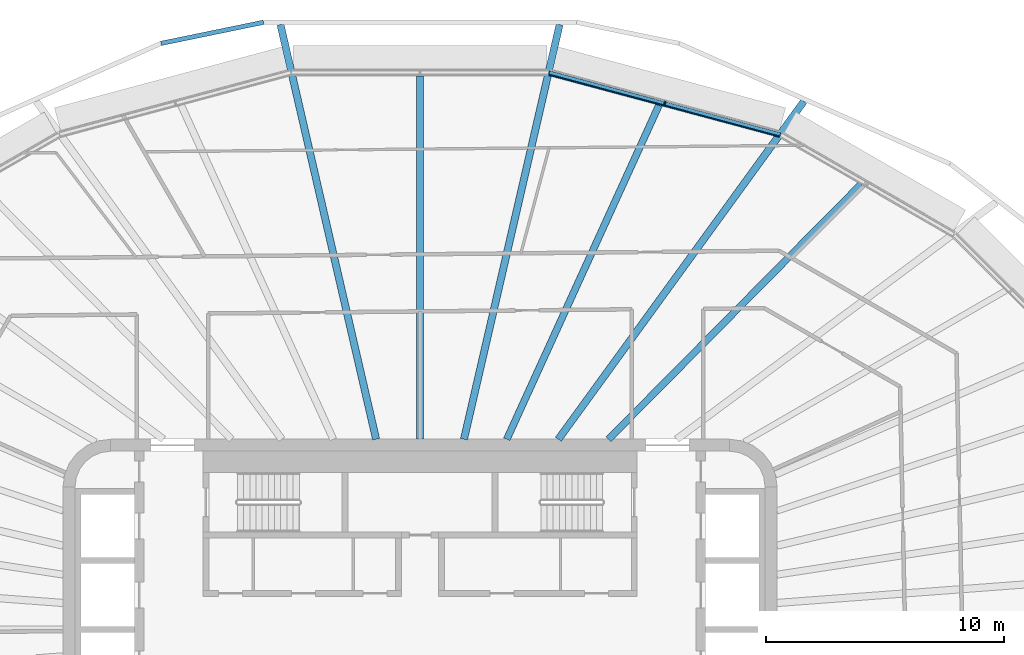
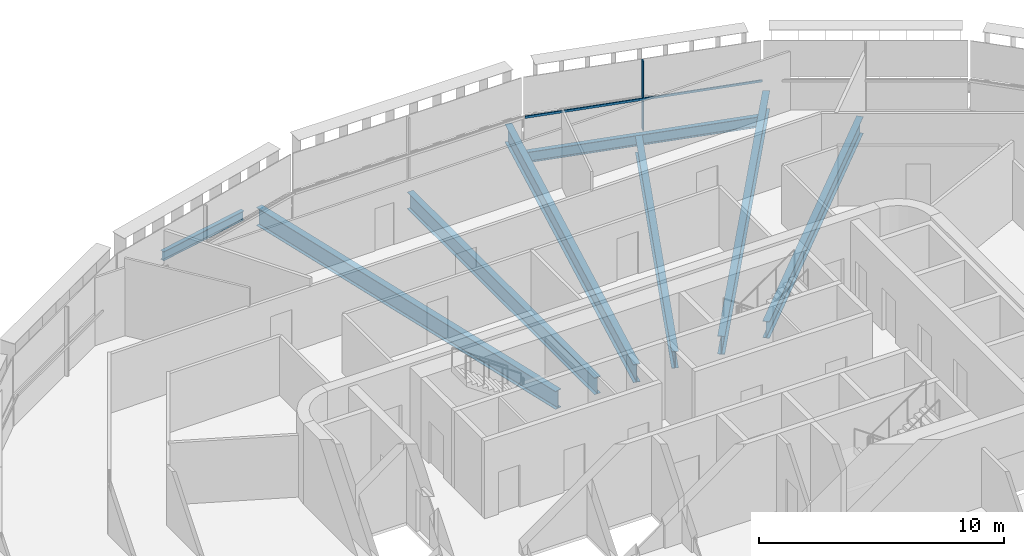
# One storey, part 6 of 23: 8 beams, 2 members, 1 element without a shape of its own.
"""IFC4 building model written with IfcOpenShell, lengths in metres."""

from ifc_helpers import new_model, si_unit, direction, frame, origin, origin_2d, place, context, subcontext, project, spatial, rectangle, i_section, extrude, material, layer, layer_set, material_profile, profile_set, type_object, element, aggregate, save


model = new_model("IFC4")

# Units and contexts
model_context = context("Model", 3, precision=1e-05, world=origin(), true_north=direction((0.0, 1.0)))
body_context = subcontext(model_context, "Body", "Model", "MODEL_VIEW")
ifc_project = project(units=[si_unit("LENGTHUNIT", "METRE"), si_unit("AREAUNIT", "SQUARE_METRE"), si_unit("VOLUMEUNIT", "CUBIC_METRE"), si_unit("PLANEANGLEUNIT", "RADIAN"), si_unit("MASSUNIT", "GRAM", prefix="KILO")], contexts=[model_context])

# Site, building, storey
site_placement = place(None, origin())
site = spatial("IfcSite", under=ifc_project, at=site_placement, CompositionType="ELEMENT")
building_placement = place(site_placement, origin())
building = spatial("IfcBuilding", under=site, at=building_placement, Name="Sahrelin Media Tower", CompositionType="ELEMENT")
storey_placement = place(building_placement, frame((0.0, 0.0, 161.60009765625)))
storey = spatial("IfcBuildingStorey", under=building, at=storey_placement, Name="L33", CompositionType="ELEMENT", Elevation=161.60009765625)

# Beam
ifc_material_1 = material(Name="Steel S355", Category="steel")
ifc_material_profile_1 = material_profile(ifc_material_1, i_section(OverallWidth=0.208740234375, OverallDepth=0.5283203125, WebThickness=0.009521484375, FlangeThickness=0.01318359375, FilletRadius=0.0126953125, at=origin_2d()), Name="UB 533x210x82")
ifc_profile_set_1 = profile_set([ifc_material_profile_1], Name="Steel S355")
beam_type_1 = type_object("IfcBeamType", Name="Edge beam EB6", PredefinedType="BEAM", material=ifc_profile_set_1)
beam_1_placement = place(storey_placement, frame((5.422607421875, 23.378662109375, -0.414306640625), z_axis=(0.965924398273, -0.258824374473, 0.0), x_axis=(0.258824374473, 0.965924398273, 0.0)))
element("IfcBeam", 1, at=beam_1_placement, inside=storey, type_object=beam_type_1, Name="Edge beam L33-20", PredefinedType="BEAM", context=body_context, shape_type="SweptSolid", body=[
    extrude(i_section(OverallWidth=0.208740234375, OverallDepth=0.5283203125, WebThickness=0.009521484375, FlangeThickness=0.01318359375, FilletRadius=0.0126953125, at=origin_2d()), origin(), (0.0, 0.0, 1.0), 10.0439453125),
])

# Curtain wall, member
ifc_material_2 = material(Name="Champagne anodised aluminium 6063-T6", Category="aluminium")
ifc_layer = layer(ifc_material_2, 0.14990234375)
ifc_layer_set = layer_set([ifc_layer], Name="Tower ribbon curtain wall")
curtain_wall_type = type_object("IfcCurtainWallType", Name="Tower ribbon curtain wall", PredefinedType="NOTDEFINED", material=ifc_layer_set)
curtain_wall_placement = place(storey_placement, frame((10.312255859375, 22.2236328125, 0.0), z_axis=(0.0, 0.0, 1.0), x_axis=(1.0, 0.0, 0.0)))
curtain_wall = element("IfcCurtainWall", 2, at=curtain_wall_placement, inside=storey, type_object=curtain_wall_type, Name="L33:CW:L33-05", PredefinedType="NOTDEFINED")
ifc_material_profile_2 = material_profile(ifc_material_2, rectangle(XDim=0.06005859375, YDim=0.175048828125, at=origin_2d()), Name="Mullion 60x175")
ifc_profile_set_2 = profile_set([ifc_material_profile_2], Name="Champagne anodised aluminium 6063-T6")
member_type_1 = type_object("IfcMemberType", Name="Mullion 60x175 CW1B", PredefinedType="MULLION", material=ifc_profile_set_2)
member_1_placement = place(storey_placement, frame((10.284423828125, 22.119873046875, 0.0), z_axis=(0.0, 0.0, 1.0), x_axis=(-0.965926729732, 0.258815673384, 0.0)))
member_1 = element("IfcMember", 3, at=member_1_placement, type_object=member_type_1, Name="L33:CWM:L33-05", PredefinedType="MULLION", context=body_context, shape_type="SweptSolid", body=[
    extrude(rectangle(XDim=0.06005859375, YDim=0.175048828125, at=origin_2d()), origin(), (0.0, 0.0, 1.0), 3.448486328125),
])

# Beams
ifc_material_profile_3 = material_profile(ifc_material_1, i_section(OverallWidth=0.30322265625, OverallDepth=0.903076171875, WebThickness=0.01513671875, FlangeThickness=0.020263671875, FilletRadius=0.01904296875, at=origin_2d()), Name="UB 914x305x201")
ifc_profile_set_3 = profile_set([ifc_material_profile_3], Name="Steel S355")
beam_type_2 = type_object("IfcBeamType", Name="Radial primary beam PB11", PredefinedType="BEAM", material=ifc_profile_set_3)
beam_2_placement = place(storey_placement, frame((5.8125, 8.0, -0.6015625), z_axis=(0.587799384359, 0.809006726639, 0.0), x_axis=(-0.809006726639, 0.587799384359, 0.0)))
element("IfcBeam", 4, at=beam_2_placement, inside=storey, type_object=beam_type_2, Name="Radial beam L33-05", PredefinedType="BEAM", context=body_context, shape_type="SweptSolid", body=[
    extrude(i_section(OverallWidth=0.30322265625, OverallDepth=0.903076171875, WebThickness=0.01513671875, FlangeThickness=0.020263671875, FilletRadius=0.01904296875, at=origin_2d()), origin(), (0.0, 0.0, 1.0), 17.54833984375),
])
for number, where, z_axis, x_axis, name in (
    (5, (1.845458984375, 8.0, -0.6015625), (0.224765776998, 0.974412820878, 0.0), (-0.974412820878, 0.224765776998, 0.0), "Radial beam L33-06"),
    (6, (-1.845458984375, 8.0, -0.6015625), (-0.224765776998, 0.974412820878, 0.0), (-0.974412820878, -0.224765776998, 0.0), "Radial beam L33-07"),
):
    element("IfcBeam", number, at=place(storey_placement, frame(where, z_axis=z_axis, x_axis=x_axis)), inside=storey, type_object=beam_type_2, Name=name, PredefinedType="BEAM", context=body_context, shape_type="SweptSolid", body=[
        extrude(i_section(OverallWidth=0.30322265625, OverallDepth=0.903076171875, WebThickness=0.01513671875, FlangeThickness=0.020263671875, FilletRadius=0.01904296875, at=origin_2d()), origin(), (0.0, 0.0, 1.0), 17.882080078125),
    ])
ifc_material_profile_4 = material_profile(ifc_material_1, i_section(OverallWidth=0.291748046875, OverallDepth=0.8349609375, WebThickness=0.013916015625, FlangeThickness=0.018798828125, FilletRadius=0.017822265625, at=origin_2d()), Name="UB 838x292x176")
ifc_profile_set_4 = profile_set([ifc_material_profile_4], Name="Steel S355")
beam_type_3 = type_object("IfcBeamType", Name="Radial secondary beam SB10", PredefinedType="BEAM", material=ifc_profile_set_4)
beam_3_placement = place(storey_placement, frame((7.921142578125, 8.0, -0.567626953125), z_axis=(0.703599162107, 0.710597086317, 0.0), x_axis=(-0.710597086317, 0.703599162107, 0.0)))
element("IfcBeam", 7, at=beam_3_placement, inside=storey, type_object=beam_type_3, Name="Secondary beam L33-04", PredefinedType="BEAM", context=body_context, shape_type="SweptSolid", body=[
    extrude(i_section(OverallWidth=0.291748046875, OverallDepth=0.8349609375, WebThickness=0.013916015625, FlangeThickness=0.018798828125, FilletRadius=0.017822265625, at=origin_2d()), origin(), (0.0, 0.0, 1.0), 15.071533203125),
])
beam_4_placement = place(storey_placement, frame((3.64501953125, 8.0, -0.567626953125), z_axis=(0.414613847662, 0.909997449077, 0.0), x_axis=(-0.909997449077, 0.414613847662, 0.0)))
element("IfcBeam", 8, at=beam_4_placement, inside=storey, type_object=beam_type_3, Name="Secondary beam L33-05", PredefinedType="BEAM", context=body_context, shape_type="SweptSolid", body=[
    extrude(i_section(OverallWidth=0.291748046875, OverallDepth=0.8349609375, WebThickness=0.013916015625, FlangeThickness=0.018798828125, FilletRadius=0.017822265625, at=origin_2d()), origin(), (0.0, 0.0, 1.0), 15.421630859375),
])
beam_5_placement = place(storey_placement, frame((0.0, 8.0, -0.567626953125), z_axis=(0.0, 1.0, 0.0), x_axis=(-1.0, 0.0, 0.0)))
element("IfcBeam", 9, at=beam_5_placement, inside=storey, type_object=beam_type_3, Name="Secondary beam L33-06", PredefinedType="BEAM", context=body_context, shape_type="SweptSolid", body=[
    extrude(i_section(OverallWidth=0.291748046875, OverallDepth=0.8349609375, WebThickness=0.013916015625, FlangeThickness=0.018798828125, FilletRadius=0.017822265625, at=origin_2d()), origin(), (0.0, 0.0, 1.0), 15.2685546875),
])
ifc_material_profile_5 = material_profile(ifc_material_1, i_section(OverallWidth=0.1904296875, OverallDepth=0.45703125, WebThickness=0.009033203125, FlangeThickness=0.014404296875, FilletRadius=0.01025390625, at=origin_2d()), Name="UB 457x191x74")
ifc_profile_set_5 = profile_set([ifc_material_profile_5], Name="Steel S355")
beam_type_4 = type_object("IfcBeamType", Name="Tie chord TC5", PredefinedType="BEAM", material=ifc_profile_set_5)
beam_6_placement = place(storey_placement, frame((-6.576171875, 25.519775390625, -0.378662109375), z_axis=(-0.979388611009, -0.201985020796, 0.0), x_axis=(0.201985020796, -0.979388611009, 0.0)))
element("IfcBeam", 10, at=beam_6_placement, inside=storey, type_object=beam_type_4, Name="Tie chord L33-07", PredefinedType="BEAM", context=body_context, shape_type="SweptSolid", body=[
    extrude(i_section(OverallWidth=0.1904296875, OverallDepth=0.45703125, WebThickness=0.009033203125, FlangeThickness=0.014404296875, FilletRadius=0.01025390625, at=origin_2d()), origin(), (0.0, 0.0, 1.0), 4.397216796875),
])

# Member
ifc_material_profile_6 = material_profile(ifc_material_2, rectangle(XDim=0.050048828125, YDim=0.110107421875, at=origin_2d()), Name="Transom 50x110")
ifc_profile_set_6 = profile_set([ifc_material_profile_6], Name="Champagne anodised aluminium 6063-T6")
member_type_2 = type_object("IfcMemberType", Name="Transom 50x110 CW1B", PredefinedType="USERDEFINED", material=ifc_profile_set_6)
member_2_placement = place(storey_placement, frame((15.091064453125, 20.715576171875, 1.599853515625), z_axis=(-0.965929113775, 0.258806775726, 0.0), x_axis=(-0.258806775726, -0.965929113775, 0.0)))
member_2 = element("IfcMember", 11, at=member_2_placement, type_object=member_type_2, Name="L33:CWT:L33-05", ObjectType="TRANSOM", PredefinedType="USERDEFINED", context=body_context, shape_type="SweptSolid", body=[
    extrude(rectangle(XDim=0.050048828125, YDim=0.110107421875, at=origin_2d()), origin(), (0.0, 0.0, 1.0), 10.012451171875),
])

aggregate(curtain_wall, [member_1, member_2])

save(model, "model.ifc")
